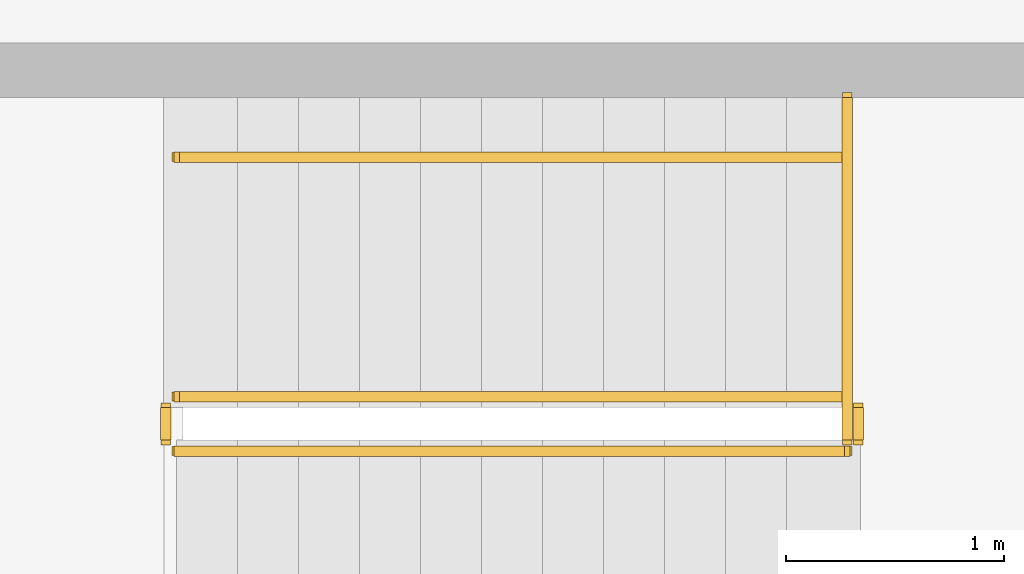
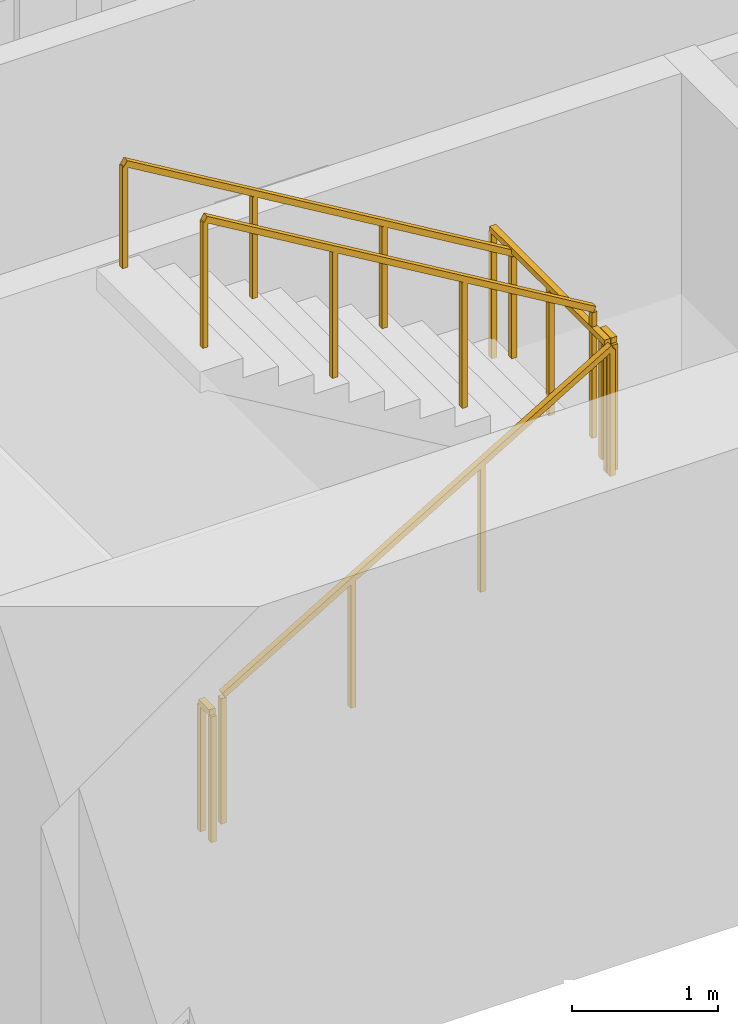
# One storey, part 13 of 16: 6 railings.
"""IFC4 building model written with IfcOpenShell, lengths in metres."""

from ifc_helpers import new_model, si_unit, direction, frame, origin, origin_2d, place, context, subcontext, project, spatial, rectangle, extrude, material, type_object, element, save


model = new_model("IFC4")

# Units and contexts
model_context = context("Model", 3, precision=1e-05, world=origin(), true_north=direction((0.0, 1.0)))
body_context = subcontext(model_context, "Body", "Model", "MODEL_VIEW")
ifc_project = project(units=[si_unit("LENGTHUNIT", "METRE"), si_unit("AREAUNIT", "SQUARE_METRE"), si_unit("VOLUMEUNIT", "CUBIC_METRE"), si_unit("PLANEANGLEUNIT", "RADIAN"), si_unit("MASSUNIT", "GRAM", prefix="KILO")], contexts=[model_context])

# Site, building, storey
site_placement = place(None, origin())
site = spatial("IfcSite", under=ifc_project, at=site_placement, CompositionType="ELEMENT")
building_placement = place(site_placement, origin())
building = spatial("IfcBuilding", under=site, at=building_placement, Name="Sennacour Bend Tower", CompositionType="ELEMENT")
storey_placement = place(building_placement, frame((0.0, 0.0, 223.0)))
storey = spatial("IfcBuildingStorey", under=building, at=storey_placement, Name="L51", CompositionType="ELEMENT", Elevation=223.0)

# Railings
ifc_material = material(Name="Stainless steel", Category="steel")
railing_type_1 = type_object("IfcRailingType", Name="RL-GUARD-1100", PredefinedType="GUARDRAIL", material=ifc_material)
railing_1_placement = place(storey_placement, frame((56.699951171875, 2.449951171875, 0.166748046875)))
element("IfcRailing", 1, at=railing_1_placement, inside=storey, type_object=railing_type_1, Name="L51 SA1 stair guard 1", PredefinedType="GUARDRAIL", context=body_context, shape_type="SweptSolid", body=[
    extrude(rectangle(XDim=0.048095703125, YDim=0.048095703125, at=origin_2d()), frame((0.0, 0.0, 1.076171875), z_axis=(0.859308565015, 0.0, 0.511457515432), x_axis=(0.0, 1.0, 0.0)), (0.0, 0.0, 1.0), 3.58447265625),
    extrude(rectangle(XDim=0.0419921875, YDim=0.0419921875, at=origin_2d()), origin(), (0.0, 0.0, 1.0), 1.052001953125),
    extrude(rectangle(XDim=0.0419921875, YDim=0.0419921875, at=origin_2d()), frame((1.026611328125, 0.0, 0.611083984375)), (0.0, 0.0, 1.0), 1.052001953125),
    extrude(rectangle(XDim=0.0419921875, YDim=0.0419921875, at=origin_2d()), frame((2.053466796875, 0.0, 1.22216796875)), (0.0, 0.0, 1.0), 1.052001953125),
    extrude(rectangle(XDim=0.0419921875, YDim=0.0419921875, at=origin_2d()), frame((3.080078125, 0.0, 1.833251953125)), (0.0, 0.0, 1.0), 1.052001953125),
])
railing_2_placement = place(storey_placement, frame((59.830078125, 2.5, 2.0)))
element("IfcRailing", 2, at=railing_2_placement, inside=storey, type_object=railing_type_1, Name="L51 SA1 stair guard 2", PredefinedType="GUARDRAIL", context=body_context, shape_type="SweptSolid", body=[
    extrude(rectangle(XDim=0.048095703125, YDim=0.048095703125, at=origin_2d()), frame((0.0, 0.0, 1.076171875), z_axis=(0.0, 1.0, 0.0), x_axis=(-1.0, 0.0, 0.0)), (0.0, 0.0, 1.0), 0.14990234375),
    extrude(rectangle(XDim=0.0419921875, YDim=0.0419921875, at=origin_2d()), origin(), (0.0, 0.0, 1.0), 1.052001953125),
    extrude(rectangle(XDim=0.0419921875, YDim=0.0419921875, at=origin_2d()), frame((0.0, 0.14990234375, 0.0)), (0.0, 0.0, 1.0), 1.052001953125),
])
railing_3_placement = place(storey_placement, frame((59.780029296875, 2.699951171875, 2.166748046875)))
element("IfcRailing", 3, at=railing_3_placement, inside=storey, type_object=railing_type_1, Name="L51 SA1 stair guard 4", PredefinedType="GUARDRAIL", context=body_context, shape_type="SweptSolid", body=[
    extrude(rectangle(XDim=0.048095703125, YDim=0.048095703125, at=origin_2d()), frame((0.0, 0.0, 1.076171875), z_axis=(-0.859308565015, 0.0, 0.511457515432), x_axis=(0.0, -1.0, 0.0)), (0.0, 0.0, 1.0), 3.58447265625),
    extrude(rectangle(XDim=0.0419921875, YDim=0.0419921875, at=origin_2d()), origin(), (0.0, 0.0, 1.0), 1.052001953125),
    extrude(rectangle(XDim=0.0419921875, YDim=0.0419921875, at=origin_2d()), frame((-1.026611328125, 0.0, 0.611083984375)), (0.0, 0.0, 1.0), 1.052001953125),
    extrude(rectangle(XDim=0.0419921875, YDim=0.0419921875, at=origin_2d()), frame((-2.053466796875, 0.0, 1.22216796875)), (0.0, 0.0, 1.0), 1.052001953125),
    extrude(rectangle(XDim=0.0419921875, YDim=0.0419921875, at=origin_2d()), frame((-3.080078125, 0.0, 1.833251953125)), (0.0, 0.0, 1.0), 1.052001953125),
])
railing_4_placement = place(storey_placement, frame((56.64990234375, 2.5, 0.0)))
element("IfcRailing", 4, at=railing_4_placement, inside=storey, type_object=railing_type_1, Name="L51 SA1 stair guard 5", PredefinedType="GUARDRAIL", context=body_context, shape_type="SweptSolid", body=[
    extrude(rectangle(XDim=0.048095703125, YDim=0.048095703125, at=origin_2d()), frame((0.0, 0.0, 1.076171875), z_axis=(0.0, 1.0, 0.0), x_axis=(-1.0, 0.0, 0.0)), (0.0, 0.0, 1.0), 0.14990234375),
    extrude(rectangle(XDim=0.0419921875, YDim=0.0419921875, at=origin_2d()), origin(), (0.0, 0.0, 1.0), 1.052001953125),
    extrude(rectangle(XDim=0.0419921875, YDim=0.0419921875, at=origin_2d()), frame((0.0, 0.14990234375, 0.0)), (0.0, 0.0, 1.0), 1.052001953125),
])
railing_5_placement = place(storey_placement, frame((59.780029296875, 2.5, 2.0)))
element("IfcRailing", 5, at=railing_5_placement, inside=storey, type_object=railing_type_1, Name="L51 SA1 landing edge guard 73", PredefinedType="GUARDRAIL", context=body_context, shape_type="SweptSolid", body=[
    extrude(rectangle(XDim=0.048095703125, YDim=0.048095703125, at=origin_2d()), frame((0.0, 0.0, 1.076171875), z_axis=(0.0, 1.0, 0.0), x_axis=(-1.0, 0.0, 0.0)), (0.0, 0.0, 1.0), 1.574951171875),
    extrude(rectangle(XDim=0.0419921875, YDim=0.0419921875, at=origin_2d()), origin(), (0.0, 0.0, 1.0), 1.052001953125),
    extrude(rectangle(XDim=0.0419921875, YDim=0.0419921875, at=origin_2d()), frame((0.0, 0.78759765625, 0.0)), (0.0, 0.0, 1.0), 1.052001953125),
    extrude(rectangle(XDim=0.0419921875, YDim=0.0419921875, at=origin_2d()), frame((0.0, 1.574951171875, 0.0)), (0.0, 0.0, 1.0), 1.052001953125),
])
railing_type_2 = type_object("IfcRailingType", Name="RL-HANDRAIL-900", PredefinedType="HANDRAIL", material=ifc_material)
railing_6_placement = place(storey_placement, frame((59.780029296875, 3.800048828125, 2.166748046875)))
element("IfcRailing", 6, at=railing_6_placement, inside=storey, type_object=railing_type_2, Name="L51 SA1 stair handrail 2", PredefinedType="HANDRAIL", context=body_context, shape_type="SweptSolid", body=[
    extrude(rectangle(XDim=0.048095703125, YDim=0.048095703125, at=origin_2d()), frame((0.0, 0.0, 0.8759765625), z_axis=(-0.859308565015, 0.0, 0.511457515432), x_axis=(0.0, -1.0, 0.0)), (0.0, 0.0, 1.0), 3.58447265625),
    extrude(rectangle(XDim=0.0419921875, YDim=0.0419921875, at=origin_2d()), origin(), (0.0, 0.0, 1.0), 0.851806640625),
    extrude(rectangle(XDim=0.0419921875, YDim=0.0419921875, at=origin_2d()), frame((-1.026611328125, 0.0, 0.611083984375)), (0.0, 0.0, 1.0), 0.851806640625),
    extrude(rectangle(XDim=0.0419921875, YDim=0.0419921875, at=origin_2d()), frame((-2.053466796875, 0.0, 1.22216796875)), (0.0, 0.0, 1.0), 0.851806640625),
    extrude(rectangle(XDim=0.0419921875, YDim=0.0419921875, at=origin_2d()), frame((-3.080078125, 0.0, 1.833251953125)), (0.0, 0.0, 1.0), 0.851806640625),
])

save(model, "model.ifc")
